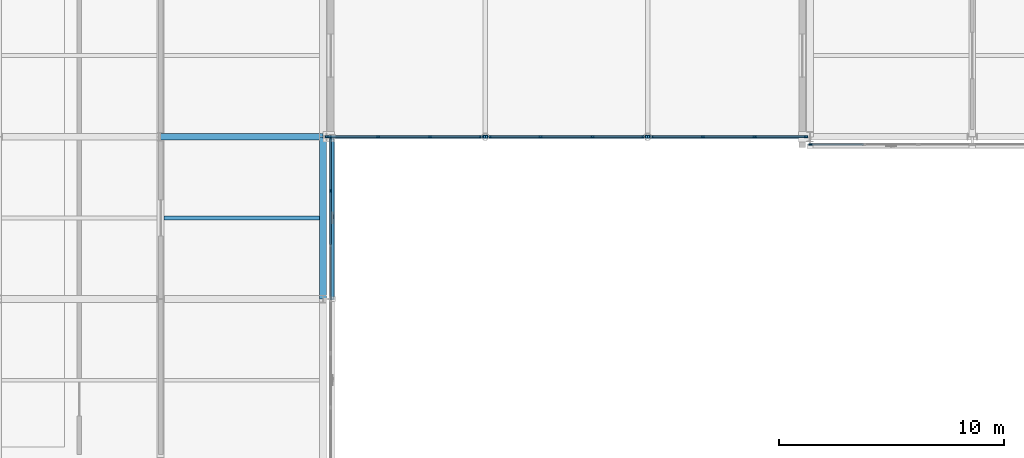
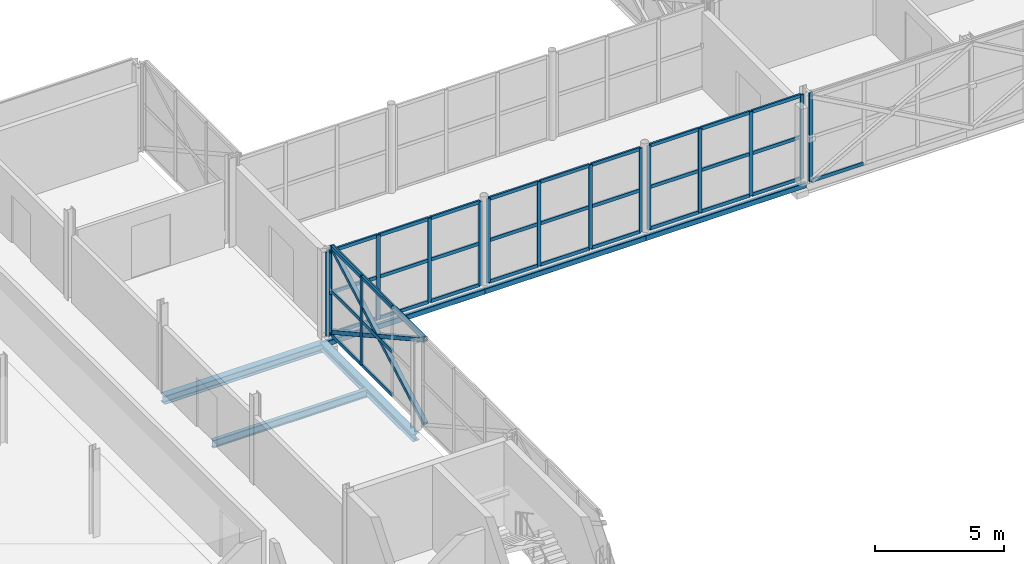
# One storey, part 52 of 146: 53 members, 6 beams, 5 elements without a shape of their own.
"""IFC4 building model written with IfcOpenShell, lengths in metres."""

from ifc_helpers import new_model, si_unit, direction, frame, origin, origin_2d, place, context, subcontext, project, spatial, rectangle, hollow_rectangle, i_section, extrude, material, material_profile, profile_set, type_object, element, aggregate, save


model = new_model("IFC4")

# Units and contexts
model_context = context("Model", 3, precision=1e-05, world=origin(), true_north=direction((0.0, 1.0)))
body_context = subcontext(model_context, "Body", "Model", "MODEL_VIEW")
ifc_project = project(units=[si_unit("LENGTHUNIT", "METRE"), si_unit("AREAUNIT", "SQUARE_METRE"), si_unit("VOLUMEUNIT", "CUBIC_METRE"), si_unit("PLANEANGLEUNIT", "RADIAN"), si_unit("MASSUNIT", "GRAM", prefix="KILO")], contexts=[model_context])

# Site, building, storey
site_placement = place(None, origin())
site = spatial("IfcSite", under=ifc_project, at=site_placement, CompositionType="ELEMENT")
building_placement = place(site_placement, origin())
building = spatial("IfcBuilding", under=site, at=building_placement, Name="Zlatovets Crest Museum", CompositionType="ELEMENT")
storey_placement = place(building_placement, frame((0.0, 0.0, 4.5)))
storey = spatial("IfcBuildingStorey", under=building, at=storey_placement, Name="L01", CompositionType="ELEMENT", Elevation=4.5)

# Beams
ifc_material_1 = material(Name="Structural steel S355J2", Category="steel")
ifc_material_profile_1 = material_profile(ifc_material_1, i_section(OverallWidth=0.300048828125, OverallDepth=0.389892578125, WebThickness=0.010986328125, FlangeThickness=0.01904296875, FilletRadius=0.027099609375, at=origin_2d()), Name="HEA 400")
ifc_profile_set_1 = profile_set([ifc_material_profile_1], Name="Structural steel S355J2")
beam_type_1 = type_object("IfcBeamType", Name="Beam_B-02", PredefinedType="BEAM", material=ifc_profile_set_1)
beam_1_placement = place(storey_placement, frame((28.800048828125, 86.39990234375, -0.4150390625), z_axis=(1.0, 0.0, 0.0), x_axis=(0.0, 1.0, 0.0)))
element("IfcBeam", 1, at=beam_1_placement, inside=storey, type_object=beam_type_1, Name="V4 L01 Primary Girder B-02", PredefinedType="BEAM", context=body_context, shape_type="SweptSolid", body=[
    extrude(i_section(OverallWidth=0.300048828125, OverallDepth=0.389892578125, WebThickness=0.010986328125, FlangeThickness=0.01904296875, FilletRadius=0.027099609375, at=origin_2d()), origin(), (0.0, 0.0, 1.0), 7.199951171875),
])
ifc_material_profile_2 = material_profile(ifc_material_1, i_section(OverallWidth=0.300048828125, OverallDepth=0.35009765625, WebThickness=0.010009765625, FlangeThickness=0.017578125, FilletRadius=0.027099609375, at=origin_2d()), Name="HEA 360")
ifc_profile_set_2 = profile_set([ifc_material_profile_2], Name="Structural steel S355J2")
beam_type_2 = type_object("IfcBeamType", Name="Beam_B-03", PredefinedType="BEAM", material=ifc_profile_set_2)
beam_2_placement = place(storey_placement, frame((36.0, 79.199951171875, -0.39501953125), z_axis=(0.0, 1.0, 0.0), x_axis=(-1.0, 0.0, 0.0)))
element("IfcBeam", 2, at=beam_2_placement, inside=storey, type_object=beam_type_2, Name="V4 L01 Grid Beam B-03", PredefinedType="BEAM", context=body_context, shape_type="SweptSolid", body=[
    extrude(i_section(OverallWidth=0.300048828125, OverallDepth=0.35009765625, WebThickness=0.010009765625, FlangeThickness=0.017578125, FilletRadius=0.027099609375, at=origin_2d()), origin(), (0.0, 0.0, 1.0), 7.199951171875),
])
ifc_material_profile_3 = material_profile(ifc_material_1, hollow_rectangle(XDim=0.14990234375, YDim=0.25, WallThickness=0.010009765625, InnerFilletRadius=0.010009765625, OuterFilletRadius=0.02001953125, at=origin_2d()), Name="RHS 150x250x10.0")
ifc_profile_set_3 = profile_set([ifc_material_profile_3], Name="Structural steel S355J2")
beam_type_3 = type_object("IfcBeamType", Name="Beam_BRG-03", PredefinedType="BEAM", material=ifc_profile_set_3)
for number, where, z_axis, x_axis, name in (
    (3, (36.0, 86.39990234375, -0.344970703125), (1.0, 0.0, 0.0), (0.0, 1.0, 0.0), "Northwest Crest Glazed Link Bridge L01 Stringer Beam"),
    (4, (43.199951171875, 86.39990234375, -0.344970703125), (1.0, 0.0, 0.0), (0.0, 1.0, 0.0), "Northwest Crest Glazed Link Bridge L01 Stringer Beam"),
):
    element("IfcBeam", number, at=place(storey_placement, frame(where, z_axis=z_axis, x_axis=x_axis)), inside=storey, type_object=beam_type_3, Name=name, PredefinedType="BEAM", context=body_context, shape_type="SweptSolid", body=[
        extrude(hollow_rectangle(XDim=0.14990234375, YDim=0.25, WallThickness=0.010009765625, InnerFilletRadius=0.010009765625, OuterFilletRadius=0.02001953125, at=origin_2d()), origin(), (0.0, 0.0, 1.0), 7.199951171875),
    ])
beam_3_placement = place(storey_placement, frame((50.39990234375, 86.39990234375, -0.344970703125), z_axis=(1.0, 0.0, 0.0), x_axis=(0.0, 1.0, 0.0)))
element("IfcBeam", 5, at=beam_3_placement, inside=storey, type_object=beam_type_3, Name="Northwest Crest Glazed Link Bridge L01 Stringer Beam", PredefinedType="BEAM", context=body_context, shape_type="SweptSolid", body=[
    extrude(hollow_rectangle(XDim=0.14990234375, YDim=0.25, WallThickness=0.010009765625, InnerFilletRadius=0.010009765625, OuterFilletRadius=0.02001953125, at=origin_2d()), origin(), (0.0, 0.0, 1.0), 7.2001953125),
])
ifc_material_profile_4 = material_profile(ifc_material_1, i_section(OverallWidth=0.169921875, OverallDepth=0.360107421875, WebThickness=0.008056640625, FlangeThickness=0.0126953125, FilletRadius=0.01806640625, at=origin_2d()), Name="IPE 360")
ifc_profile_set_4 = profile_set([ifc_material_profile_4], Name="Structural steel S355J2")
beam_type_4 = type_object("IfcBeamType", Name="Beam_J-01", PredefinedType="JOIST", material=ifc_profile_set_4)
beam_4_placement = place(storey_placement, frame((28.949951171875, 82.800048828125, -0.39990234375), z_axis=(1.0, 0.0, 0.0), x_axis=(0.0, 1.0, 0.0)))
element("IfcBeam", 6, at=beam_4_placement, inside=storey, type_object=beam_type_4, Name="V4 L01 Composite Joist J-01", PredefinedType="JOIST", context=body_context, shape_type="SweptSolid", body=[
    extrude(i_section(OverallWidth=0.169921875, OverallDepth=0.360107421875, WebThickness=0.008056640625, FlangeThickness=0.0126953125, FilletRadius=0.01806640625, at=origin_2d()), origin(), (0.0, 0.0, 1.0), 6.900146484375),
])

# Curtain wall, member
ifc_material_2 = material(Name="Bronze-anodised aluminium and low-E triple glass", Category="aluminium")
curtain_wall_type_1 = type_object("IfcCurtainWallType", Name="CW_CW-V1-L01-M0", PredefinedType="NOTDEFINED", material=ifc_material_2)
curtain_wall_1_placement = place(storey_placement, origin())
curtain_wall_1 = element("IfcCurtainWall", 7, at=curtain_wall_1_placement, inside=storey, type_object=curtain_wall_type_1, Name="V1 L01 Secession Foyer Clear Curtain Wall", PredefinedType="NOTDEFINED")
ifc_material_3 = material(Name="Bronze-anodised aluminium EN AW-6060", Category="aluminium")
ifc_material_profile_5 = material_profile(ifc_material_3, rectangle(XDim=0.080078125, YDim=0.159912109375, at=origin_2d()), Name="ALU 80x160")
ifc_profile_set_5 = profile_set([ifc_material_profile_5], Name="Bronze-anodised aluminium EN AW-6060")
member_type_1 = type_object("IfcMemberType", Name="CWMull_M1", PredefinedType="MULLION", material=ifc_profile_set_5)
member_1_placement = place(storey_placement, frame((57.6298828125, 86.06005859375, 0.0), z_axis=(0.0, 0.0, 1.0), x_axis=(0.0, 1.0, 0.0)))
member_1 = element("IfcMember", 8, at=member_1_placement, type_object=member_type_1, Name="CW-V1-L01-M0 mullion 1", PredefinedType="MULLION", context=body_context, shape_type="SweptSolid", body=[
    extrude(rectangle(XDim=0.080078125, YDim=0.159912109375, at=origin_2d()), origin(), (0.0, 0.0, 1.0), 4.199951171875),
])

# Curtain wall, members
curtain_wall_type_2 = type_object("IfcCurtainWallType", Name="CW_CW-V4-L01-M0", PredefinedType="NOTDEFINED", material=ifc_material_2)
curtain_wall_2_placement = place(storey_placement, origin())
curtain_wall_2 = element("IfcCurtainWall", 9, at=curtain_wall_2_placement, inside=storey, type_object=curtain_wall_type_2, Name="V4 L01 Secession Foyer Clear Curtain Wall", PredefinedType="NOTDEFINED")
member_2_placement = place(storey_placement, frame((36.340087890625, 84.0, 0.0), z_axis=(0.0, 0.0, 1.0), x_axis=(-1.0, 0.0, 0.0)))
member_2 = element("IfcMember", 10, at=member_2_placement, type_object=member_type_1, Name="CW-V4-L01-M0 mullion 3", PredefinedType="MULLION", context=body_context, shape_type="SweptSolid", body=[
    extrude(rectangle(XDim=0.080078125, YDim=0.159912109375, at=origin_2d()), origin(), (0.0, 0.0, 1.0), 4.199951171875),
])
member_3_placement = place(storey_placement, frame((36.340087890625, 86.3701171875, 0.0), z_axis=(0.0, 0.0, 1.0), x_axis=(-1.0, 0.0, 0.0)))
member_3 = element("IfcMember", 11, at=member_3_placement, type_object=member_type_1, Name="CW-V4-L01-M0 mullion 4", PredefinedType="MULLION", context=body_context, shape_type="SweptSolid", body=[
    extrude(rectangle(XDim=0.080078125, YDim=0.159912109375, at=origin_2d()), origin(), (0.0, 0.0, 1.0), 4.199951171875),
])

curtain_wall_type_3 = type_object("IfcCurtainWallType", Name="CW_CW-BR3-L01-S69", PredefinedType="NOTDEFINED", material=ifc_material_2)
curtain_wall_3_placement = place(storey_placement, origin())
curtain_wall_3 = element("IfcCurtainWall", 12, at=curtain_wall_3_placement, inside=storey, type_object=curtain_wall_type_3, Name="Northwest Crest Glazed Link Bridge L01 Glazed Bridge Curtain Wall", PredefinedType="NOTDEFINED")
member_4_placement = place(storey_placement, frame((36.179931640625, 86.39990234375, 0.0), z_axis=(0.0, 0.0, 1.0), x_axis=(0.0, 1.0, 0.0)))
member_4 = element("IfcMember", 13, at=member_4_placement, type_object=member_type_1, Name="CW-BR3-L01-S69 mullion 1", PredefinedType="MULLION", context=body_context, shape_type="SweptSolid", body=[
    extrude(rectangle(XDim=0.080078125, YDim=0.159912109375, at=origin_2d()), origin(), (0.0, 0.0, 1.0), 3.97998046875),
])
member_5_placement = place(storey_placement, frame((38.449951171875, 86.39990234375, 0.0), z_axis=(0.0, 0.0, 1.0), x_axis=(0.0, 1.0, 0.0)))
member_5 = element("IfcMember", 14, at=member_5_placement, type_object=member_type_1, Name="CW-BR3-L01-S69 mullion 2", PredefinedType="MULLION", context=body_context, shape_type="SweptSolid", body=[
    extrude(rectangle(XDim=0.080078125, YDim=0.159912109375, at=origin_2d()), origin(), (0.0, 0.0, 1.0), 3.97998046875),
])
member_6_placement = place(storey_placement, frame((40.75, 86.39990234375, 0.0), z_axis=(0.0, 0.0, 1.0), x_axis=(0.0, 1.0, 0.0)))
member_6 = element("IfcMember", 15, at=member_6_placement, type_object=member_type_1, Name="CW-BR3-L01-S69 mullion 3", PredefinedType="MULLION", context=body_context, shape_type="SweptSolid", body=[
    extrude(rectangle(XDim=0.080078125, YDim=0.159912109375, at=origin_2d()), origin(), (0.0, 0.0, 1.0), 3.97998046875),
])
member_7_placement = place(storey_placement, frame((43.02001953125, 86.39990234375, 0.0), z_axis=(0.0, 0.0, 1.0), x_axis=(0.0, 1.0, 0.0)))
member_7 = element("IfcMember", 16, at=member_7_placement, type_object=member_type_1, Name="CW-BR3-L01-S69 mullion 4", PredefinedType="MULLION", context=body_context, shape_type="SweptSolid", body=[
    extrude(rectangle(XDim=0.080078125, YDim=0.159912109375, at=origin_2d()), origin(), (0.0, 0.0, 1.0), 3.97998046875),
])

curtain_wall_4_placement = place(storey_placement, origin())
curtain_wall_4 = element("IfcCurtainWall", 17, at=curtain_wall_4_placement, inside=storey, type_object=curtain_wall_type_3, Name="Northwest Crest Glazed Link Bridge L01 Glazed Bridge Curtain Wall", PredefinedType="NOTDEFINED")
member_8_placement = place(storey_placement, frame((43.3798828125, 86.39990234375, 0.0), z_axis=(0.0, 0.0, 1.0), x_axis=(0.0, 1.0, 0.0)))
member_8 = element("IfcMember", 18, at=member_8_placement, type_object=member_type_1, Name="CW-BR3-L01-S69 mullion 1", PredefinedType="MULLION", context=body_context, shape_type="SweptSolid", body=[
    extrude(rectangle(XDim=0.080078125, YDim=0.159912109375, at=origin_2d()), origin(), (0.0, 0.0, 1.0), 3.97998046875),
])
member_9_placement = place(storey_placement, frame((45.64990234375, 86.39990234375, 0.0), z_axis=(0.0, 0.0, 1.0), x_axis=(0.0, 1.0, 0.0)))
member_9 = element("IfcMember", 19, at=member_9_placement, type_object=member_type_1, Name="CW-BR3-L01-S69 mullion 2", PredefinedType="MULLION", context=body_context, shape_type="SweptSolid", body=[
    extrude(rectangle(XDim=0.080078125, YDim=0.159912109375, at=origin_2d()), origin(), (0.0, 0.0, 1.0), 3.97998046875),
])
member_10_placement = place(storey_placement, frame((47.949951171875, 86.39990234375, 0.0), z_axis=(0.0, 0.0, 1.0), x_axis=(0.0, 1.0, 0.0)))
member_10 = element("IfcMember", 20, at=member_10_placement, type_object=member_type_1, Name="CW-BR3-L01-S69 mullion 3", PredefinedType="MULLION", context=body_context, shape_type="SweptSolid", body=[
    extrude(rectangle(XDim=0.080078125, YDim=0.159912109375, at=origin_2d()), origin(), (0.0, 0.0, 1.0), 3.97998046875),
])
member_11_placement = place(storey_placement, frame((50.219970703125, 86.39990234375, 0.0), z_axis=(0.0, 0.0, 1.0), x_axis=(0.0, 1.0, 0.0)))
member_11 = element("IfcMember", 21, at=member_11_placement, type_object=member_type_1, Name="CW-BR3-L01-S69 mullion 4", PredefinedType="MULLION", context=body_context, shape_type="SweptSolid", body=[
    extrude(rectangle(XDim=0.080078125, YDim=0.159912109375, at=origin_2d()), origin(), (0.0, 0.0, 1.0), 3.97998046875),
])

curtain_wall_5_placement = place(storey_placement, origin())
curtain_wall_5 = element("IfcCurtainWall", 22, at=curtain_wall_5_placement, inside=storey, type_object=curtain_wall_type_3, Name="Northwest Crest Glazed Link Bridge L01 Glazed Bridge Curtain Wall", PredefinedType="NOTDEFINED")
member_12_placement = place(storey_placement, frame((50.580078125, 86.39990234375, 0.0), z_axis=(0.0, 0.0, 1.0), x_axis=(0.0, 1.0, 0.0)))
member_12 = element("IfcMember", 23, at=member_12_placement, type_object=member_type_1, Name="CW-BR3-L01-S69 mullion 1", PredefinedType="MULLION", context=body_context, shape_type="SweptSolid", body=[
    extrude(rectangle(XDim=0.080078125, YDim=0.159912109375, at=origin_2d()), origin(), (0.0, 0.0, 1.0), 3.97998046875),
])
member_13_placement = place(storey_placement, frame((52.85009765625, 86.39990234375, 0.0), z_axis=(0.0, 0.0, 1.0), x_axis=(0.0, 1.0, 0.0)))
member_13 = element("IfcMember", 24, at=member_13_placement, type_object=member_type_1, Name="CW-BR3-L01-S69 mullion 2", PredefinedType="MULLION", context=body_context, shape_type="SweptSolid", body=[
    extrude(rectangle(XDim=0.080078125, YDim=0.159912109375, at=origin_2d()), origin(), (0.0, 0.0, 1.0), 3.97998046875),
])
member_14_placement = place(storey_placement, frame((55.14990234375, 86.39990234375, 0.0), z_axis=(0.0, 0.0, 1.0), x_axis=(0.0, 1.0, 0.0)))
member_14 = element("IfcMember", 25, at=member_14_placement, type_object=member_type_1, Name="CW-BR3-L01-S69 mullion 3", PredefinedType="MULLION", context=body_context, shape_type="SweptSolid", body=[
    extrude(rectangle(XDim=0.080078125, YDim=0.159912109375, at=origin_2d()), origin(), (0.0, 0.0, 1.0), 3.97998046875),
])
member_15_placement = place(storey_placement, frame((57.419921875, 86.39990234375, 0.0), z_axis=(0.0, 0.0, 1.0), x_axis=(0.0, 1.0, 0.0)))
member_15 = element("IfcMember", 26, at=member_15_placement, type_object=member_type_1, Name="CW-BR3-L01-S69 mullion 4", PredefinedType="MULLION", context=body_context, shape_type="SweptSolid", body=[
    extrude(rectangle(XDim=0.080078125, YDim=0.159912109375, at=origin_2d()), origin(), (0.0, 0.0, 1.0), 3.97998046875),
])

# Member
ifc_material_profile_6 = material_profile(ifc_material_3, rectangle(XDim=0.080078125, YDim=0.159912109375, at=origin_2d()), Name="ALU 80x160")
ifc_profile_set_6 = profile_set([ifc_material_profile_6], Name="Bronze-anodised aluminium EN AW-6060")
member_type_2 = type_object("IfcMemberType", Name="CWTrans_T1", PredefinedType="USERDEFINED", material=ifc_profile_set_6)
member_16_placement = place(storey_placement, frame((57.659912109375, 86.06005859375, 0.030029296875), z_axis=(1.0, 0.0, 0.0), x_axis=(0.0, 1.0, 0.0)))
member_16 = element("IfcMember", 27, at=member_16_placement, type_object=member_type_2, Name="CW-V1-L01-M0 transom 1.1", ObjectType="TRANSOM", PredefinedType="USERDEFINED", context=body_context, shape_type="SweptSolid", body=[
    extrude(rectangle(XDim=0.080078125, YDim=0.159912109375, at=origin_2d()), origin(), (0.0, 0.0, 1.0), 2.31005859375),
])

aggregate(curtain_wall_1, [member_1, member_16])

member_17_placement = place(storey_placement, frame((36.340087890625, 81.6298828125, 0.030029296875), z_axis=(0.0, 1.0, 0.0), x_axis=(-1.0, 0.0, 0.0)))
member_17 = element("IfcMember", 28, at=member_17_placement, type_object=member_type_2, Name="CW-V4-L01-M0 transom 2.1", ObjectType="TRANSOM", PredefinedType="USERDEFINED", context=body_context, shape_type="SweptSolid", body=[
    extrude(rectangle(XDim=0.080078125, YDim=0.159912109375, at=origin_2d()), origin(), (0.0, 0.0, 1.0), 2.340087890625),
])

member_18_placement = place(storey_placement, frame((36.340087890625, 81.6298828125, 2.10009765625), z_axis=(0.0, 1.0, 0.0), x_axis=(-1.0, 0.0, 0.0)))
member_18 = element("IfcMember", 29, at=member_18_placement, type_object=member_type_2, Name="CW-V4-L01-M0 transom 2.2", ObjectType="TRANSOM", PredefinedType="USERDEFINED", context=body_context, shape_type="SweptSolid", body=[
    extrude(rectangle(XDim=0.080078125, YDim=0.159912109375, at=origin_2d()), origin(), (0.0, 0.0, 1.0), 2.340087890625),
])

member_19_placement = place(storey_placement, frame((36.340087890625, 81.6298828125, 4.169921875), z_axis=(0.0, 1.0, 0.0), x_axis=(-1.0, 0.0, 0.0)))
member_19 = element("IfcMember", 30, at=member_19_placement, type_object=member_type_2, Name="CW-V4-L01-M0 transom 2.3", ObjectType="TRANSOM", PredefinedType="USERDEFINED", context=body_context, shape_type="SweptSolid", body=[
    extrude(rectangle(XDim=0.080078125, YDim=0.159912109375, at=origin_2d()), origin(), (0.0, 0.0, 1.0), 2.340087890625),
])

member_20_placement = place(storey_placement, frame((36.340087890625, 84.030029296875, 0.030029296875), z_axis=(0.0, 1.0, 0.0), x_axis=(-1.0, 0.0, 0.0)))
member_20 = element("IfcMember", 31, at=member_20_placement, type_object=member_type_2, Name="CW-V4-L01-M0 transom 3.1", ObjectType="TRANSOM", PredefinedType="USERDEFINED", context=body_context, shape_type="SweptSolid", body=[
    extrude(rectangle(XDim=0.080078125, YDim=0.159912109375, at=origin_2d()), origin(), (0.0, 0.0, 1.0), 2.31005859375),
])

member_21_placement = place(storey_placement, frame((36.340087890625, 84.030029296875, 2.10009765625), z_axis=(0.0, 1.0, 0.0), x_axis=(-1.0, 0.0, 0.0)))
member_21 = element("IfcMember", 32, at=member_21_placement, type_object=member_type_2, Name="CW-V4-L01-M0 transom 3.2", ObjectType="TRANSOM", PredefinedType="USERDEFINED", context=body_context, shape_type="SweptSolid", body=[
    extrude(rectangle(XDim=0.080078125, YDim=0.159912109375, at=origin_2d()), origin(), (0.0, 0.0, 1.0), 2.31005859375),
])

member_22_placement = place(storey_placement, frame((36.340087890625, 84.030029296875, 4.169921875), z_axis=(0.0, 1.0, 0.0), x_axis=(-1.0, 0.0, 0.0)))
member_22 = element("IfcMember", 33, at=member_22_placement, type_object=member_type_2, Name="CW-V4-L01-M0 transom 3.3", ObjectType="TRANSOM", PredefinedType="USERDEFINED", context=body_context, shape_type="SweptSolid", body=[
    extrude(rectangle(XDim=0.080078125, YDim=0.159912109375, at=origin_2d()), origin(), (0.0, 0.0, 1.0), 2.31005859375),
])

aggregate(curtain_wall_2, [member_2, member_3, member_17, member_18, member_19, member_20, member_21, member_22])

member_23_placement = place(storey_placement, frame((36.2099609375, 86.39990234375, 0.030029296875), z_axis=(1.0, 0.0, 0.0), x_axis=(0.0, 1.0, 0.0)))
member_23 = element("IfcMember", 34, at=member_23_placement, type_object=member_type_2, Name="CW-BR3-L01-S69 transom 1.1", ObjectType="TRANSOM", PredefinedType="USERDEFINED", context=body_context, shape_type="SweptSolid", body=[
    extrude(rectangle(XDim=0.080078125, YDim=0.159912109375, at=origin_2d()), origin(), (0.0, 0.0, 1.0), 2.2099609375),
])

member_24_placement = place(storey_placement, frame((36.2099609375, 86.39990234375, 1.989990234375), z_axis=(1.0, 0.0, 0.0), x_axis=(0.0, 1.0, 0.0)))
member_24 = element("IfcMember", 35, at=member_24_placement, type_object=member_type_2, Name="CW-BR3-L01-S69 transom 1.2", ObjectType="TRANSOM", PredefinedType="USERDEFINED", context=body_context, shape_type="SweptSolid", body=[
    extrude(rectangle(XDim=0.080078125, YDim=0.159912109375, at=origin_2d()), origin(), (0.0, 0.0, 1.0), 2.2099609375),
])

member_25_placement = place(storey_placement, frame((36.2099609375, 86.39990234375, 3.949951171875), z_axis=(1.0, 0.0, 0.0), x_axis=(0.0, 1.0, 0.0)))
member_25 = element("IfcMember", 36, at=member_25_placement, type_object=member_type_2, Name="CW-BR3-L01-S69 transom 1.3", ObjectType="TRANSOM", PredefinedType="USERDEFINED", context=body_context, shape_type="SweptSolid", body=[
    extrude(rectangle(XDim=0.080078125, YDim=0.159912109375, at=origin_2d()), origin(), (0.0, 0.0, 1.0), 2.2099609375),
])

member_26_placement = place(storey_placement, frame((38.47998046875, 86.39990234375, 0.030029296875), z_axis=(1.0, 0.0, 0.0), x_axis=(0.0, 1.0, 0.0)))
member_26 = element("IfcMember", 37, at=member_26_placement, type_object=member_type_2, Name="CW-BR3-L01-S69 transom 2.1", ObjectType="TRANSOM", PredefinedType="USERDEFINED", context=body_context, shape_type="SweptSolid", body=[
    extrude(rectangle(XDim=0.080078125, YDim=0.159912109375, at=origin_2d()), origin(), (0.0, 0.0, 1.0), 2.239990234375),
])

member_27_placement = place(storey_placement, frame((38.47998046875, 86.39990234375, 1.989990234375), z_axis=(1.0, 0.0, 0.0), x_axis=(0.0, 1.0, 0.0)))
member_27 = element("IfcMember", 38, at=member_27_placement, type_object=member_type_2, Name="CW-BR3-L01-S69 transom 2.2", ObjectType="TRANSOM", PredefinedType="USERDEFINED", context=body_context, shape_type="SweptSolid", body=[
    extrude(rectangle(XDim=0.080078125, YDim=0.159912109375, at=origin_2d()), origin(), (0.0, 0.0, 1.0), 2.239990234375),
])

member_28_placement = place(storey_placement, frame((38.47998046875, 86.39990234375, 3.949951171875), z_axis=(1.0, 0.0, 0.0), x_axis=(0.0, 1.0, 0.0)))
member_28 = element("IfcMember", 39, at=member_28_placement, type_object=member_type_2, Name="CW-BR3-L01-S69 transom 2.3", ObjectType="TRANSOM", PredefinedType="USERDEFINED", context=body_context, shape_type="SweptSolid", body=[
    extrude(rectangle(XDim=0.080078125, YDim=0.159912109375, at=origin_2d()), origin(), (0.0, 0.0, 1.0), 2.239990234375),
])

member_29_placement = place(storey_placement, frame((40.780029296875, 86.39990234375, 0.030029296875), z_axis=(1.0, 0.0, 0.0), x_axis=(0.0, 1.0, 0.0)))
member_29 = element("IfcMember", 40, at=member_29_placement, type_object=member_type_2, Name="CW-BR3-L01-S69 transom 3.1", ObjectType="TRANSOM", PredefinedType="USERDEFINED", context=body_context, shape_type="SweptSolid", body=[
    extrude(rectangle(XDim=0.080078125, YDim=0.159912109375, at=origin_2d()), origin(), (0.0, 0.0, 1.0), 2.2099609375),
])

member_30_placement = place(storey_placement, frame((40.780029296875, 86.39990234375, 1.989990234375), z_axis=(1.0, 0.0, 0.0), x_axis=(0.0, 1.0, 0.0)))
member_30 = element("IfcMember", 41, at=member_30_placement, type_object=member_type_2, Name="CW-BR3-L01-S69 transom 3.2", ObjectType="TRANSOM", PredefinedType="USERDEFINED", context=body_context, shape_type="SweptSolid", body=[
    extrude(rectangle(XDim=0.080078125, YDim=0.159912109375, at=origin_2d()), origin(), (0.0, 0.0, 1.0), 2.2099609375),
])

member_31_placement = place(storey_placement, frame((40.780029296875, 86.39990234375, 3.949951171875), z_axis=(1.0, 0.0, 0.0), x_axis=(0.0, 1.0, 0.0)))
member_31 = element("IfcMember", 42, at=member_31_placement, type_object=member_type_2, Name="CW-BR3-L01-S69 transom 3.3", ObjectType="TRANSOM", PredefinedType="USERDEFINED", context=body_context, shape_type="SweptSolid", body=[
    extrude(rectangle(XDim=0.080078125, YDim=0.159912109375, at=origin_2d()), origin(), (0.0, 0.0, 1.0), 2.2099609375),
])

aggregate(curtain_wall_3, [member_4, member_5, member_6, member_7, member_23, member_24, member_25, member_26, member_27, member_28, member_29, member_30, member_31])

member_32_placement = place(storey_placement, frame((43.409912109375, 86.39990234375, 0.030029296875), z_axis=(1.0, 0.0, 0.0), x_axis=(0.0, 1.0, 0.0)))
member_32 = element("IfcMember", 43, at=member_32_placement, type_object=member_type_2, Name="CW-BR3-L01-S69 transom 1.1", ObjectType="TRANSOM", PredefinedType="USERDEFINED", context=body_context, shape_type="SweptSolid", body=[
    extrude(rectangle(XDim=0.080078125, YDim=0.159912109375, at=origin_2d()), origin(), (0.0, 0.0, 1.0), 2.210205078125),
])

member_33_placement = place(storey_placement, frame((43.409912109375, 86.39990234375, 1.989990234375), z_axis=(1.0, 0.0, 0.0), x_axis=(0.0, 1.0, 0.0)))
member_33 = element("IfcMember", 44, at=member_33_placement, type_object=member_type_2, Name="CW-BR3-L01-S69 transom 1.2", ObjectType="TRANSOM", PredefinedType="USERDEFINED", context=body_context, shape_type="SweptSolid", body=[
    extrude(rectangle(XDim=0.080078125, YDim=0.159912109375, at=origin_2d()), origin(), (0.0, 0.0, 1.0), 2.210205078125),
])

member_34_placement = place(storey_placement, frame((43.409912109375, 86.39990234375, 3.949951171875), z_axis=(1.0, 0.0, 0.0), x_axis=(0.0, 1.0, 0.0)))
member_34 = element("IfcMember", 45, at=member_34_placement, type_object=member_type_2, Name="CW-BR3-L01-S69 transom 1.3", ObjectType="TRANSOM", PredefinedType="USERDEFINED", context=body_context, shape_type="SweptSolid", body=[
    extrude(rectangle(XDim=0.080078125, YDim=0.159912109375, at=origin_2d()), origin(), (0.0, 0.0, 1.0), 2.210205078125),
])

member_35_placement = place(storey_placement, frame((45.679931640625, 86.39990234375, 0.030029296875), z_axis=(1.0, 0.0, 0.0), x_axis=(0.0, 1.0, 0.0)))
member_35 = element("IfcMember", 46, at=member_35_placement, type_object=member_type_2, Name="CW-BR3-L01-S69 transom 2.1", ObjectType="TRANSOM", PredefinedType="USERDEFINED", context=body_context, shape_type="SweptSolid", body=[
    extrude(rectangle(XDim=0.080078125, YDim=0.159912109375, at=origin_2d()), origin(), (0.0, 0.0, 1.0), 2.239990234375),
])

member_36_placement = place(storey_placement, frame((45.679931640625, 86.39990234375, 1.989990234375), z_axis=(1.0, 0.0, 0.0), x_axis=(0.0, 1.0, 0.0)))
member_36 = element("IfcMember", 47, at=member_36_placement, type_object=member_type_2, Name="CW-BR3-L01-S69 transom 2.2", ObjectType="TRANSOM", PredefinedType="USERDEFINED", context=body_context, shape_type="SweptSolid", body=[
    extrude(rectangle(XDim=0.080078125, YDim=0.159912109375, at=origin_2d()), origin(), (0.0, 0.0, 1.0), 2.239990234375),
])

member_37_placement = place(storey_placement, frame((45.679931640625, 86.39990234375, 3.949951171875), z_axis=(1.0, 0.0, 0.0), x_axis=(0.0, 1.0, 0.0)))
member_37 = element("IfcMember", 48, at=member_37_placement, type_object=member_type_2, Name="CW-BR3-L01-S69 transom 2.3", ObjectType="TRANSOM", PredefinedType="USERDEFINED", context=body_context, shape_type="SweptSolid", body=[
    extrude(rectangle(XDim=0.080078125, YDim=0.159912109375, at=origin_2d()), origin(), (0.0, 0.0, 1.0), 2.239990234375),
])

member_38_placement = place(storey_placement, frame((47.97998046875, 86.39990234375, 0.030029296875), z_axis=(1.0, 0.0, 0.0), x_axis=(0.0, 1.0, 0.0)))
member_38 = element("IfcMember", 49, at=member_38_placement, type_object=member_type_2, Name="CW-BR3-L01-S69 transom 3.1", ObjectType="TRANSOM", PredefinedType="USERDEFINED", context=body_context, shape_type="SweptSolid", body=[
    extrude(rectangle(XDim=0.080078125, YDim=0.159912109375, at=origin_2d()), origin(), (0.0, 0.0, 1.0), 2.2099609375),
])

member_39_placement = place(storey_placement, frame((47.97998046875, 86.39990234375, 1.989990234375), z_axis=(1.0, 0.0, 0.0), x_axis=(0.0, 1.0, 0.0)))
member_39 = element("IfcMember", 50, at=member_39_placement, type_object=member_type_2, Name="CW-BR3-L01-S69 transom 3.2", ObjectType="TRANSOM", PredefinedType="USERDEFINED", context=body_context, shape_type="SweptSolid", body=[
    extrude(rectangle(XDim=0.080078125, YDim=0.159912109375, at=origin_2d()), origin(), (0.0, 0.0, 1.0), 2.2099609375),
])

member_40_placement = place(storey_placement, frame((47.97998046875, 86.39990234375, 3.949951171875), z_axis=(1.0, 0.0, 0.0), x_axis=(0.0, 1.0, 0.0)))
member_40 = element("IfcMember", 51, at=member_40_placement, type_object=member_type_2, Name="CW-BR3-L01-S69 transom 3.3", ObjectType="TRANSOM", PredefinedType="USERDEFINED", context=body_context, shape_type="SweptSolid", body=[
    extrude(rectangle(XDim=0.080078125, YDim=0.159912109375, at=origin_2d()), origin(), (0.0, 0.0, 1.0), 2.2099609375),
])

aggregate(curtain_wall_4, [member_8, member_9, member_10, member_11, member_32, member_33, member_34, member_35, member_36, member_37, member_38, member_39, member_40])

member_41_placement = place(storey_placement, frame((50.610107421875, 86.39990234375, 0.030029296875), z_axis=(1.0, 0.0, 0.0), x_axis=(0.0, 1.0, 0.0)))
member_41 = element("IfcMember", 52, at=member_41_placement, type_object=member_type_2, Name="CW-BR3-L01-S69 transom 1.1", ObjectType="TRANSOM", PredefinedType="USERDEFINED", context=body_context, shape_type="SweptSolid", body=[
    extrude(rectangle(XDim=0.080078125, YDim=0.159912109375, at=origin_2d()), origin(), (0.0, 0.0, 1.0), 2.2099609375),
])

member_42_placement = place(storey_placement, frame((50.610107421875, 86.39990234375, 1.989990234375), z_axis=(1.0, 0.0, 0.0), x_axis=(0.0, 1.0, 0.0)))
member_42 = element("IfcMember", 53, at=member_42_placement, type_object=member_type_2, Name="CW-BR3-L01-S69 transom 1.2", ObjectType="TRANSOM", PredefinedType="USERDEFINED", context=body_context, shape_type="SweptSolid", body=[
    extrude(rectangle(XDim=0.080078125, YDim=0.159912109375, at=origin_2d()), origin(), (0.0, 0.0, 1.0), 2.2099609375),
])

member_43_placement = place(storey_placement, frame((50.610107421875, 86.39990234375, 3.949951171875), z_axis=(1.0, 0.0, 0.0), x_axis=(0.0, 1.0, 0.0)))
member_43 = element("IfcMember", 54, at=member_43_placement, type_object=member_type_2, Name="CW-BR3-L01-S69 transom 1.3", ObjectType="TRANSOM", PredefinedType="USERDEFINED", context=body_context, shape_type="SweptSolid", body=[
    extrude(rectangle(XDim=0.080078125, YDim=0.159912109375, at=origin_2d()), origin(), (0.0, 0.0, 1.0), 2.2099609375),
])

member_44_placement = place(storey_placement, frame((52.8798828125, 86.39990234375, 0.030029296875), z_axis=(1.0, 0.0, 0.0), x_axis=(0.0, 1.0, 0.0)))
member_44 = element("IfcMember", 55, at=member_44_placement, type_object=member_type_2, Name="CW-BR3-L01-S69 transom 2.1", ObjectType="TRANSOM", PredefinedType="USERDEFINED", context=body_context, shape_type="SweptSolid", body=[
    extrude(rectangle(XDim=0.080078125, YDim=0.159912109375, at=origin_2d()), origin(), (0.0, 0.0, 1.0), 2.240234375),
])

member_45_placement = place(storey_placement, frame((52.8798828125, 86.39990234375, 1.989990234375), z_axis=(1.0, 0.0, 0.0), x_axis=(0.0, 1.0, 0.0)))
member_45 = element("IfcMember", 56, at=member_45_placement, type_object=member_type_2, Name="CW-BR3-L01-S69 transom 2.2", ObjectType="TRANSOM", PredefinedType="USERDEFINED", context=body_context, shape_type="SweptSolid", body=[
    extrude(rectangle(XDim=0.080078125, YDim=0.159912109375, at=origin_2d()), origin(), (0.0, 0.0, 1.0), 2.240234375),
])

member_46_placement = place(storey_placement, frame((52.8798828125, 86.39990234375, 3.949951171875), z_axis=(1.0, 0.0, 0.0), x_axis=(0.0, 1.0, 0.0)))
member_46 = element("IfcMember", 57, at=member_46_placement, type_object=member_type_2, Name="CW-BR3-L01-S69 transom 2.3", ObjectType="TRANSOM", PredefinedType="USERDEFINED", context=body_context, shape_type="SweptSolid", body=[
    extrude(rectangle(XDim=0.080078125, YDim=0.159912109375, at=origin_2d()), origin(), (0.0, 0.0, 1.0), 2.240234375),
])

member_47_placement = place(storey_placement, frame((55.179931640625, 86.39990234375, 0.030029296875), z_axis=(1.0, 0.0, 0.0), x_axis=(0.0, 1.0, 0.0)))
member_47 = element("IfcMember", 58, at=member_47_placement, type_object=member_type_2, Name="CW-BR3-L01-S69 transom 3.1", ObjectType="TRANSOM", PredefinedType="USERDEFINED", context=body_context, shape_type="SweptSolid", body=[
    extrude(rectangle(XDim=0.080078125, YDim=0.159912109375, at=origin_2d()), origin(), (0.0, 0.0, 1.0), 2.2099609375),
])

member_48_placement = place(storey_placement, frame((55.179931640625, 86.39990234375, 1.989990234375), z_axis=(1.0, 0.0, 0.0), x_axis=(0.0, 1.0, 0.0)))
member_48 = element("IfcMember", 59, at=member_48_placement, type_object=member_type_2, Name="CW-BR3-L01-S69 transom 3.2", ObjectType="TRANSOM", PredefinedType="USERDEFINED", context=body_context, shape_type="SweptSolid", body=[
    extrude(rectangle(XDim=0.080078125, YDim=0.159912109375, at=origin_2d()), origin(), (0.0, 0.0, 1.0), 2.2099609375),
])

member_49_placement = place(storey_placement, frame((55.179931640625, 86.39990234375, 3.949951171875), z_axis=(1.0, 0.0, 0.0), x_axis=(0.0, 1.0, 0.0)))
member_49 = element("IfcMember", 60, at=member_49_placement, type_object=member_type_2, Name="CW-BR3-L01-S69 transom 3.3", ObjectType="TRANSOM", PredefinedType="USERDEFINED", context=body_context, shape_type="SweptSolid", body=[
    extrude(rectangle(XDim=0.080078125, YDim=0.159912109375, at=origin_2d()), origin(), (0.0, 0.0, 1.0), 2.2099609375),
])

aggregate(curtain_wall_5, [member_12, member_13, member_14, member_15, member_41, member_42, member_43, member_44, member_45, member_46, member_47, member_48, member_49])

# Members
ifc_material_4 = material(Name="Weathering bronze-steel S355J2W", Category="steel")
ifc_material_profile_7 = material_profile(ifc_material_4, hollow_rectangle(XDim=0.199951171875, YDim=0.199951171875, WallThickness=0.012451171875, InnerFilletRadius=0.012451171875, OuterFilletRadius=0.02490234375, at=origin_2d()), Name="SHS 200x200x12.5")
ifc_profile_set_7 = profile_set([ifc_material_profile_7], Name="Weathering bronze-steel S355J2W")
member_type_3 = type_object("IfcMemberType", Name="Lattice_XL-02", PredefinedType="BRACE", material=ifc_profile_set_7)
member_50_placement = place(storey_placement, frame((36.419921875, 79.199951171875, 0.10009765625), z_axis=(0.0, 0.874155877937, 0.485645447903), x_axis=(-1.0, 0.0, 0.0)))
element("IfcMember", 61, at=member_50_placement, inside=storey, type_object=member_type_3, Name="Continuous Bronze Lattice Diagonal", PredefinedType="BRACE", context=body_context, shape_type="SweptSolid", body=[
    extrude(hollow_rectangle(XDim=0.199951171875, YDim=0.199951171875, WallThickness=0.012451171875, InnerFilletRadius=0.012451171875, OuterFilletRadius=0.02490234375, at=origin_2d()), origin(), (0.0, 0.0, 1.0), 8.236572265625),
])
member_51_placement = place(storey_placement, frame((36.419921875, 79.199951171875, 4.10009765625), z_axis=(0.0, 0.874140102304, -0.485673842763), x_axis=(-1.0, 0.0, 0.0)))
element("IfcMember", 62, at=member_51_placement, inside=storey, type_object=member_type_3, Name="Split Crossing Bronze Lattice Diagonal Upper", PredefinedType="BRACE", context=body_context, shape_type="SweptSolid", body=[
    extrude(hollow_rectangle(XDim=0.199951171875, YDim=0.199951171875, WallThickness=0.012451171875, InnerFilletRadius=0.012451171875, OuterFilletRadius=0.02490234375, at=origin_2d()), origin(), (0.0, 0.0, 1.0), 4.0234375),
])
member_52_placement = place(storey_placement, frame((36.419921875, 82.883056640625, 2.053955078125), z_axis=(0.0, 0.874151551165, -0.485653235958), x_axis=(-1.0, 0.0, 0.0)))
element("IfcMember", 63, at=member_52_placement, inside=storey, type_object=member_type_3, Name="Split Crossing Bronze Lattice Diagonal Lower", PredefinedType="BRACE", context=body_context, shape_type="SweptSolid", body=[
    extrude(hollow_rectangle(XDim=0.199951171875, YDim=0.199951171875, WallThickness=0.012451171875, InnerFilletRadius=0.012451171875, OuterFilletRadius=0.02490234375, at=origin_2d()), origin(), (0.0, 0.0, 1.0), 4.023193359375),
])
ifc_material_profile_8 = material_profile(ifc_material_4, hollow_rectangle(XDim=0.1201171875, YDim=0.239990234375, WallThickness=0.010009765625, InnerFilletRadius=0.010009765625, OuterFilletRadius=0.02001953125, at=origin_2d()), Name="RHS 120x240x10.0")
ifc_profile_set_8 = profile_set([ifc_material_profile_8], Name="Weathering bronze-steel S355J2W")
member_type_4 = type_object("IfcMemberType", Name="Lattice_XL-04", PredefinedType="CHORD", material=ifc_profile_set_8)
member_53_placement = place(storey_placement, frame((36.419921875, 79.199951171875, 4.10009765625), z_axis=(0.0, 1.0, 0.0), x_axis=(-1.0, 0.0, 0.0)))
element("IfcMember", 64, at=member_53_placement, inside=storey, type_object=member_type_4, Name="Art Nouveau Woven Cage Collector Ring Chord", PredefinedType="CHORD", context=body_context, shape_type="SweptSolid", body=[
    extrude(hollow_rectangle(XDim=0.1201171875, YDim=0.239990234375, WallThickness=0.010009765625, InnerFilletRadius=0.010009765625, OuterFilletRadius=0.02001953125, at=origin_2d()), origin(), (0.0, 0.0, 1.0), 7.199951171875),
])

save(model, "model.ifc")
